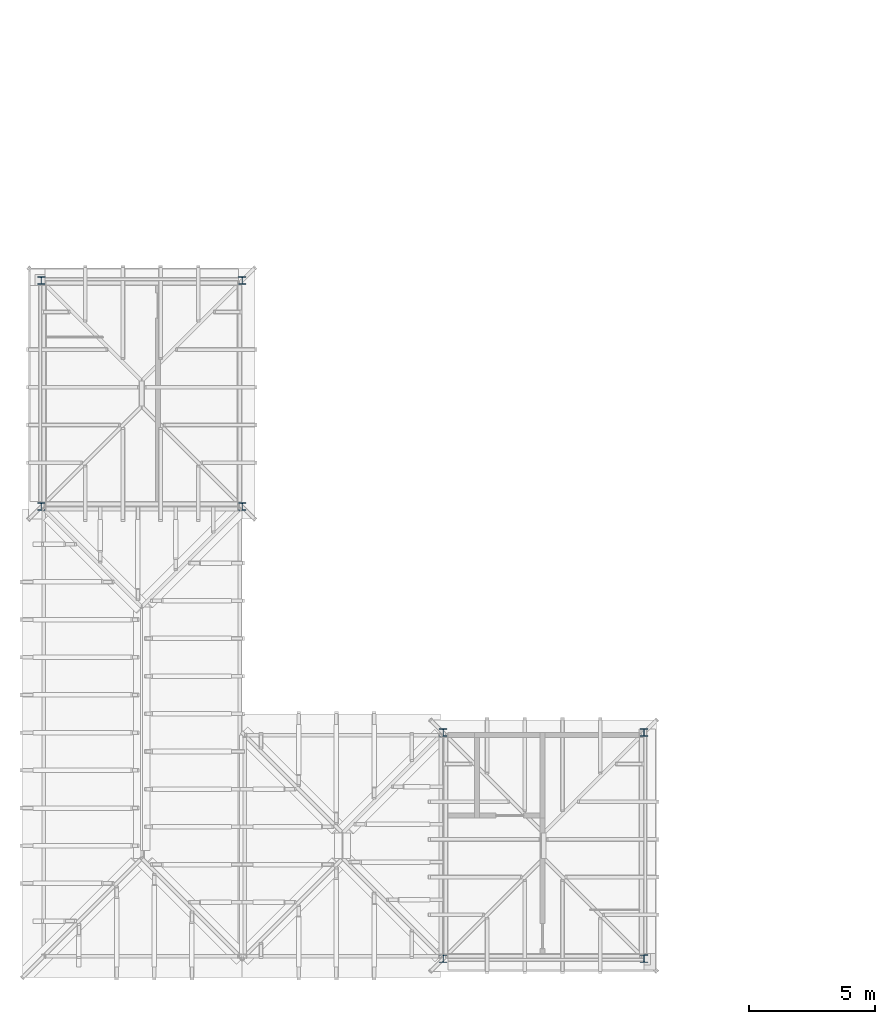
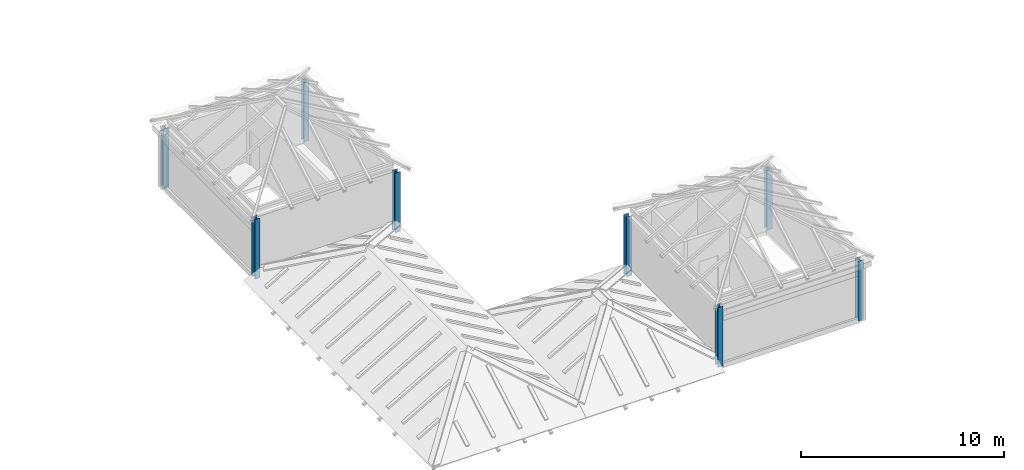
# One storey, part 1 of 111: 8 columns.
"""IFC4 building model written with IfcOpenShell, lengths in metres."""

import ifcopenshell
import ifcopenshell.guid

model = None  # the IFC model being written
_history = None  # IfcOwnerHistory: only IFC2X3 demands one
_inside = {}  # id of a spatial element -> (the spatial element, [elements in it])
_under = {}  # id of a project, library or spatial element -> (it, [spatial elements below it])
_declared = {}  # id of a project -> (the project, [libraries it declares])
_typed = {}  # id of a type object -> (the type object, [elements of that type])
_made_of = {}  # id of a material, layer set ... -> (it, [elements and type objects made of it])


def new_model(schema):
    """Start an empty IFC model of exactly this schema.

    Asked for "IFC4X3", IfcOpenShell would pick the latest addendum, in which some entities
    have other attributes; the version numbers below select the first issue.
    IFC2X3 requires an IfcOwnerHistory on every rooted entity: one is made here for all.
    """
    global model, _history
    if schema == "IFC4X3":
        model = ifcopenshell.file(schema_version=(4, 3, 0, 0))
    else:
        model = ifcopenshell.file(schema=schema)
    _inside.clear()
    _under.clear()
    _declared.clear()
    _typed.clear()
    _made_of.clear()
    _history = None
    if model.schema == "IFC2X3":
        org = make("IfcOrganization", Name="unknown")
        user = make(
            "IfcPersonAndOrganization",
            ThePerson=make("IfcPerson", FamilyName="unknown"),
            TheOrganization=org,
        )
        app = make(
            "IfcApplication",
            ApplicationDeveloper=org,
            Version="unknown",
            ApplicationFullName="unknown",
            ApplicationIdentifier="unknown",
        )
        _history = make(
            "IfcOwnerHistory",
            OwningUser=user,
            OwningApplication=app,
            ChangeAction="ADDED",
            CreationDate=0,
        )
    return model


def make(cls, **values):
    """One entity of the class cls with the attributes given. An attribute that is None is left unset."""
    return model.create_entity(
        cls, **{name: value for name, value in values.items() if value is not None}
    )


def rooted(cls, **values):
    """An entity with a GlobalId (a new one), such as an element, a storey or a relation."""
    return make(cls, GlobalId=ifcopenshell.guid.new(), OwnerHistory=_history, **values)


def si_unit(unit_type, name, prefix=None):
    """IfcSIUnit, for example si_unit("LENGTHUNIT", "METRE", prefix="MILLI")."""
    return make("IfcSIUnit", UnitType=unit_type, Prefix=prefix, Name=name)


def assignment(units):
    """IfcUnitAssignment: the units of a project."""
    return None if units is None else make("IfcUnitAssignment", Units=units)


def point(xyz):
    """IfcCartesianPoint."""
    return None if xyz is None else make("IfcCartesianPoint", Coordinates=xyz)


def direction(xyz):
    """IfcDirection."""
    return None if xyz is None else make("IfcDirection", DirectionRatios=xyz)


def frame(location, z_axis=None, x_axis=None):
    """IfcAxis2Placement3D, a coordinate frame: its origin and axes. An axis left out is left unset."""
    return make(
        "IfcAxis2Placement3D",
        Location=point(location),
        Axis=direction(z_axis),
        RefDirection=direction(x_axis),
    )


def frame_2d(location, x_axis=None):
    """IfcAxis2Placement2D, a coordinate frame in the plane: its origin and x axis."""
    return make(
        "IfcAxis2Placement2D", Location=point(location), RefDirection=direction(x_axis)
    )


def origin():
    """The frame at (0, 0, 0) with its axes left unset."""
    return frame((0.0, 0.0, 0.0))


def origin_2d():
    """The frame at (0, 0) in the plane with its x axis left unset."""
    return frame_2d((0.0, 0.0))


def place(relative_to, where):
    """IfcLocalPlacement: puts the frame where relative to a parent placement (None: the world)."""
    return make(
        "IfcLocalPlacement", PlacementRelTo=relative_to, RelativePlacement=where
    )


def context(
    kind, dimensions, precision=None, world=None, true_north=None, identifier=None
):
    """IfcGeometricRepresentationContext, for example the 3D "Model" context."""
    return make(
        "IfcGeometricRepresentationContext",
        ContextIdentifier=identifier,
        ContextType=kind,
        CoordinateSpaceDimension=dimensions,
        Precision=precision,
        WorldCoordinateSystem=world,
        TrueNorth=true_north,
    )


def subcontext(parent, identifier, kind, view, scale=None):
    """IfcGeometricRepresentationSubContext, for example "Body" below "Model"."""
    return make(
        "IfcGeometricRepresentationSubContext",
        ContextIdentifier=identifier,
        ContextType=kind,
        ParentContext=parent,
        TargetScale=scale,
        TargetView=view,
    )


def project(units=None, contexts=None):
    """IfcProject with its units and contexts."""
    return rooted(
        "IfcProject",
        Name="project",
        RepresentationContexts=contexts,
        UnitsInContext=assignment(units),
    )


def spatial(cls, under=None, at=None, **own):
    """A site, building, storey or space (cls), placed at a placement, below another one or the project."""
    s = rooted(cls, ObjectPlacement=at, **own)
    if under is not None:
        _under.setdefault(under.id(), (under, []))[1].append(s)
    return s


def profile(cls, at=None, kind="AREA", **sizes):
    """A parametric profile (cls). Its sizes go by their IFC names, for example OverallWidth=200.0."""
    return make(cls, ProfileType=kind, Position=at, **sizes)


def i_section(**sizes):
    """IfcIShapeProfileDef."""
    return profile("IfcIShapeProfileDef", **sizes)


def extrude(swept, where, along, depth):
    """IfcExtrudedAreaSolid: the profile swept, set in the frame where, extruded along a direction by depth."""
    return make(
        "IfcExtrudedAreaSolid",
        SweptArea=swept,
        Position=where,
        ExtrudedDirection=direction(along),
        Depth=depth,
    )


def shape(context_of_items, identifier, shape_type, items):
    """IfcShapeRepresentation: the items that make up one representation, for example the "Body"."""
    return make(
        "IfcShapeRepresentation",
        ContextOfItems=context_of_items,
        RepresentationIdentifier=identifier,
        RepresentationType=shape_type,
        Items=items,
    )


def material(Name=None, Category=None):
    """IfcMaterial."""
    return make("IfcMaterial", Name=Name, Category=Category)


def material_profile(
    of_material, cross_section, Name=None, Category=None, Priority=None
):
    """IfcMaterialProfile: a cross section and its material."""
    return make(
        "IfcMaterialProfile",
        Name=Name,
        Material=of_material,
        Profile=cross_section,
        Priority=Priority,
        Category=Category,
    )


def profile_set(profiles, Name=None, composite=None):
    """IfcMaterialProfileSet."""
    return make(
        "IfcMaterialProfileSet",
        Name=Name,
        MaterialProfiles=profiles,
        CompositeProfile=composite,
    )


def made_of(thing, what):
    """Note that an element or type object is made of a material, layer set ...; save() writes the relation."""
    if what is not None:
        _made_of.setdefault(what.id(), (what, []))[1].append(thing)
    return thing


def type_object(cls, material=None, **own):
    """A type object (cls), such as IfcWallType, which elements share."""
    return made_of(rooted(cls, **own), material)


def element(
    cls,
    number,
    at=None,
    inside=None,
    cuts=None,
    type_object=None,
    material=None,
    context=None,
    identifier="Body",
    shape_type=None,
    held_by="IfcProductDefinitionShape",
    body=None,
    shapes=None,
    **own,
):
    """One element of the class cls, such as IfcWall. Its Tag is "e" and its number.

    at: its placement. inside: the storey or other place that contains it. cuts: it is an
    opening in that element (IfcRelVoidsElement). A single representation is given by context,
    identifier, shape_type and body (its items); several are given by shapes. held_by: the class
    of the entity that holds the representations. save() writes the other relations.
    """
    e = rooted(cls, Tag="e%d" % number, ObjectPlacement=at, **own)
    if body is not None:
        shapes = [shape(context, identifier, shape_type, body)]
    if shapes is not None:
        e.Representation = make(held_by, Representations=shapes)
    if inside is not None:
        _inside.setdefault(inside.id(), (inside, []))[1].append(e)
    if cuts is not None:
        rooted(
            "IfcRelVoidsElement", RelatingBuildingElement=cuts, RelatedOpeningElement=e
        )
    if type_object is not None:
        _typed.setdefault(type_object.id(), (type_object, []))[1].append(e)
    return made_of(e, material)


def aggregate(whole, parts):
    """IfcRelAggregates: a whole, such as a stair, and the parts it consists of."""
    return rooted("IfcRelAggregates", RelatingObject=whole, RelatedObjects=parts)


def save(model, path):
    """Write the relations noted so far, then the file.

    IfcRelAggregates (storeys below a building ...), IfcRelContainedInSpatialStructure (elements
    in a storey), IfcRelDefinesByType, IfcRelAssociatesMaterial and IfcRelDeclares: one each for
    every whole, place, type object, material and project.
    """
    for whole, parts in _under.values():
        aggregate(whole, parts)
    for where, things in _inside.values():
        rooted(
            "IfcRelContainedInSpatialStructure",
            RelatedElements=things,
            RelatingStructure=where,
        )
    for kind, things in _typed.values():
        rooted("IfcRelDefinesByType", RelatedObjects=things, RelatingType=kind)
    for what, things in _made_of.values():
        rooted("IfcRelAssociatesMaterial", RelatedObjects=things, RelatingMaterial=what)
    for by, libraries in _declared.values():
        rooted("IfcRelDeclares", RelatingContext=by, RelatedDefinitions=libraries)
    model.write(path)


model = new_model("IFC4")

# Units and contexts
model_context = context("Model", 3, precision=1e-05, world=origin(), true_north=direction((0.0, 1.0)))
body_context = subcontext(model_context, "Body", "Model", "MODEL_VIEW")
ifc_project = project(units=[si_unit("LENGTHUNIT", "METRE"), si_unit("AREAUNIT", "SQUARE_METRE"), si_unit("VOLUMEUNIT", "CUBIC_METRE"), si_unit("PLANEANGLEUNIT", "RADIAN"), si_unit("MASSUNIT", "GRAM", prefix="KILO")], contexts=[model_context])

# Site, building, storey
site_placement = place(None, origin())
site = spatial("IfcSite", under=ifc_project, at=site_placement, CompositionType="ELEMENT")
building_placement = place(site_placement, origin())
building = spatial("IfcBuilding", under=site, at=building_placement, Name="Kallimachos Central Library", CompositionType="ELEMENT")
storey_placement = place(building_placement, frame((0.0, 0.0, 14.39990234375)))
storey = spatial("IfcBuildingStorey", under=building, at=storey_placement, Name="L03", CompositionType="ELEMENT", Elevation=14.39990234375)

# Columns
ifc_material = material(Name="Steel S355J2", Category="steel")
ifc_material_profile = material_profile(ifc_material, i_section(OverallWidth=0.300048828125, OverallDepth=0.300048828125, WebThickness=0.010986328125, FlangeThickness=0.01904296875, FilletRadius=0.027099609375, at=origin_2d()), Name="HEB 300")
ifc_profile_set = profile_set([ifc_material_profile], Name="Steel S355J2")
column_type = type_object("IfcColumnType", Name="HEB 300 column", PredefinedType="COLUMN", material=ifc_profile_set)
for number, where, z_axis, x_axis, name in (
    (1, (6.0, 27.0, 0.0), (0.0, 0.0, 1.0), (1.0, 0.0, 0.0), "V6-COL-L03-001"),
    (2, (6.0, 36.0, 0.0), (0.0, 0.0, 1.0), (1.0, 0.0, 0.0), "V6-COL-L03-002"),
    (3, (14.0, 27.0, 0.0), (0.0, 0.0, 1.0), (1.0, 0.0, 0.0), "V6-COL-L03-003"),
    (4, (14.0, 36.0, 0.0), (0.0, 0.0, 1.0), (1.0, 0.0, 0.0), "V6-COL-L03-004"),
    (5, (22.0, 9.0, 0.0), (0.0, 0.0, 1.0), (1.0, 0.0, 0.0), "V6-COL-L03-005"),
    (6, (22.0, 18.0, 0.0), (0.0, 0.0, 1.0), (1.0, 0.0, 0.0), "V6-COL-L03-006"),
    (7, (30.0, 9.0, 0.0), (0.0, 0.0, 1.0), (1.0, 0.0, 0.0), "V6-COL-L03-007"),
    (8, (30.0, 18.0, 0.0), (0.0, 0.0, 1.0), (1.0, 0.0, 0.0), "V6-COL-L03-008"),
):
    element("IfcColumn", number, at=place(storey_placement, frame(where, z_axis=z_axis, x_axis=x_axis)), inside=storey, type_object=column_type, Name=name, PredefinedType="COLUMN", context=body_context, shape_type="SweptSolid", body=[
        extrude(i_section(OverallWidth=0.300048828125, OverallDepth=0.300048828125, WebThickness=0.010986328125, FlangeThickness=0.01904296875, FilletRadius=0.027099609375, at=origin_2d()), origin(), (0.0, 0.0, 1.0), 3.60009765625),
    ])

save(model, "model.ifc")
